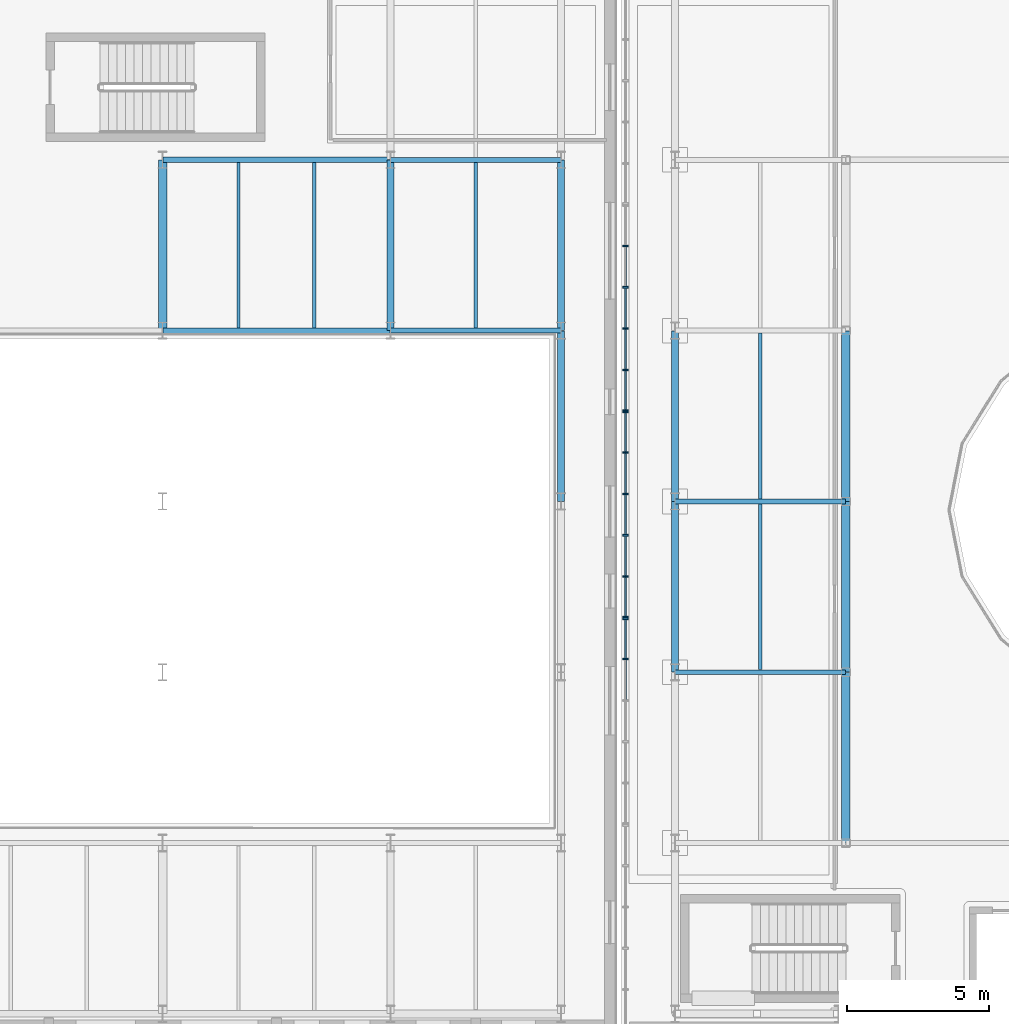
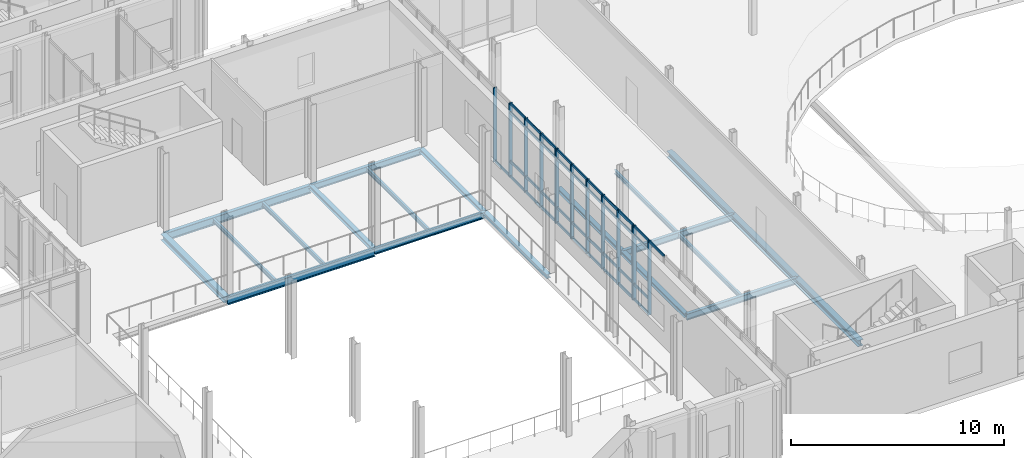
# One storey, part 16 of 100: 51 members, 20 beams, 3 elements without a shape of their own.
"""IFC4 building model written with IfcOpenShell, lengths in metres."""

from ifc_helpers import new_model, si_unit, direction, frame, origin, origin_2d, place, context, subcontext, project, spatial, rectangle, i_section, extrude, material, material_profile, profile_set, type_object, element, aggregate, save


model = new_model("IFC4")

# Units and contexts
model_context = context("Model", 3, precision=1e-05, world=origin(), true_north=direction((0.0, 1.0)))
body_context = subcontext(model_context, "Body", "Model", "MODEL_VIEW")
ifc_project = project(units=[si_unit("LENGTHUNIT", "METRE"), si_unit("AREAUNIT", "SQUARE_METRE"), si_unit("VOLUMEUNIT", "CUBIC_METRE"), si_unit("PLANEANGLEUNIT", "RADIAN"), si_unit("MASSUNIT", "GRAM", prefix="KILO")], contexts=[model_context])

# Site, building, storey
site_placement = place(None, origin())
site = spatial("IfcSite", under=ifc_project, at=site_placement, CompositionType="ELEMENT")
building_placement = place(site_placement, origin())
building = spatial("IfcBuilding", under=site, at=building_placement, Name="Cymarion Research Institute", CompositionType="ELEMENT")
storey_placement = place(building_placement, frame((0.0, 0.0, 4.800048828125)))
storey = spatial("IfcBuildingStorey", under=building, at=storey_placement, Name="L01", CompositionType="ELEMENT", Elevation=4.800048828125)

# Curtain wall, members
ifc_material_1 = material(Name="Anodised aluminium unitised curtain wall with Low-E glazing", Category="aluminium")
curtain_wall_type = type_object("IfcCurtainWallType", Name="UNITISED CURTAIN WALL CW14 7260X4250", PredefinedType="NOTDEFINED", material=ifc_material_1)
curtain_wall_1_placement = place(storey_placement, origin())
curtain_wall_1 = element("IfcCurtainWall", 1, at=curtain_wall_1_placement, inside=storey, type_object=curtain_wall_type, Name="L01 V2 unitised curtain wall CW14 #30", PredefinedType="NOTDEFINED")
ifc_material_2 = material(Name="Anodised aluminium framing", Category="aluminium")
ifc_material_profile_1 = material_profile(ifc_material_2, rectangle(XDim=0.06005859375, YDim=0.179931640625, at=origin_2d()), Name="ALU MULLION 60x180")
ifc_profile_set_1 = profile_set([ifc_material_profile_1], Name="Anodised aluminium framing")
member_type_1 = type_object("IfcMemberType", Name="CURTAIN WALL MULLION ML01 60X180", PredefinedType="MULLION", material=ifc_profile_set_1)
member_1_placement = place(storey_placement, frame((54.860107421875, 32.472900390625, 0.0), z_axis=(0.0, 0.0, 1.0), x_axis=(0.0, -1.0, 0.0)))
member_1 = element("IfcMember", 2, at=member_1_placement, type_object=member_type_1, Name="CW14 mullion 2", PredefinedType="MULLION", context=body_context, shape_type="SweptSolid", body=[
    extrude(rectangle(XDim=0.06005859375, YDim=0.179931640625, at=origin_2d()), origin(), (0.0, 0.0, 1.0), 4.25),
])
member_2_placement = place(storey_placement, frame((54.860107421875, 31.021484375, 0.0), z_axis=(0.0, 0.0, 1.0), x_axis=(0.0, -1.0, 0.0)))
member_2 = element("IfcMember", 3, at=member_2_placement, type_object=member_type_1, Name="CW14 mullion 3", PredefinedType="MULLION", context=body_context, shape_type="SweptSolid", body=[
    extrude(rectangle(XDim=0.06005859375, YDim=0.179931640625, at=origin_2d()), origin(), (0.0, 0.0, 1.0), 4.25),
])
member_3_placement = place(storey_placement, frame((54.860107421875, 29.5703125, 0.0), z_axis=(0.0, 0.0, 1.0), x_axis=(0.0, -1.0, 0.0)))
member_3 = element("IfcMember", 4, at=member_3_placement, type_object=member_type_1, Name="CW14 mullion 4", PredefinedType="MULLION", context=body_context, shape_type="SweptSolid", body=[
    extrude(rectangle(XDim=0.06005859375, YDim=0.179931640625, at=origin_2d()), origin(), (0.0, 0.0, 1.0), 4.25),
])
member_4_placement = place(storey_placement, frame((54.860107421875, 28.119140625, 0.0), z_axis=(0.0, 0.0, 1.0), x_axis=(0.0, -1.0, 0.0)))
member_4 = element("IfcMember", 5, at=member_4_placement, type_object=member_type_1, Name="CW14 mullion 5", PredefinedType="MULLION", context=body_context, shape_type="SweptSolid", body=[
    extrude(rectangle(XDim=0.06005859375, YDim=0.179931640625, at=origin_2d()), origin(), (0.0, 0.0, 1.0), 4.25),
])
member_5_placement = place(storey_placement, frame((54.860107421875, 26.697998046875, 0.0), z_axis=(0.0, 0.0, 1.0), x_axis=(0.0, -1.0, 0.0)))
member_5 = element("IfcMember", 6, at=member_5_placement, type_object=member_type_1, Name="CW14 mullion 6", PredefinedType="MULLION", context=body_context, shape_type="SweptSolid", body=[
    extrude(rectangle(XDim=0.06005859375, YDim=0.179931640625, at=origin_2d()), origin(), (0.0, 0.0, 1.0), 4.25),
])

curtain_wall_2_placement = place(storey_placement, origin())
curtain_wall_2 = element("IfcCurtainWall", 7, at=curtain_wall_2_placement, inside=storey, type_object=curtain_wall_type, Name="L01 V2 unitised curtain wall CW14 #31", PredefinedType="NOTDEFINED")
member_6_placement = place(storey_placement, frame((54.860107421875, 26.637939453125, 0.0), z_axis=(0.0, 0.0, 1.0), x_axis=(0.0, -1.0, 0.0)))
member_6 = element("IfcMember", 8, at=member_6_placement, type_object=member_type_1, Name="CW14 mullion 1", PredefinedType="MULLION", context=body_context, shape_type="SweptSolid", body=[
    extrude(rectangle(XDim=0.06005859375, YDim=0.179931640625, at=origin_2d()), origin(), (0.0, 0.0, 1.0), 4.25),
])
member_7_placement = place(storey_placement, frame((54.860107421875, 25.216796875, 0.0), z_axis=(0.0, 0.0, 1.0), x_axis=(0.0, -1.0, 0.0)))
member_7 = element("IfcMember", 9, at=member_7_placement, type_object=member_type_1, Name="CW14 mullion 2", PredefinedType="MULLION", context=body_context, shape_type="SweptSolid", body=[
    extrude(rectangle(XDim=0.06005859375, YDim=0.179931640625, at=origin_2d()), origin(), (0.0, 0.0, 1.0), 4.25),
])
member_8_placement = place(storey_placement, frame((54.860107421875, 23.765625, 0.0), z_axis=(0.0, 0.0, 1.0), x_axis=(0.0, -1.0, 0.0)))
member_8 = element("IfcMember", 10, at=member_8_placement, type_object=member_type_1, Name="CW14 mullion 3", PredefinedType="MULLION", context=body_context, shape_type="SweptSolid", body=[
    extrude(rectangle(XDim=0.06005859375, YDim=0.179931640625, at=origin_2d()), origin(), (0.0, 0.0, 1.0), 4.25),
])
member_9_placement = place(storey_placement, frame((54.860107421875, 22.314453125, 0.0), z_axis=(0.0, 0.0, 1.0), x_axis=(0.0, -1.0, 0.0)))
member_9 = element("IfcMember", 11, at=member_9_placement, type_object=member_type_1, Name="CW14 mullion 4", PredefinedType="MULLION", context=body_context, shape_type="SweptSolid", body=[
    extrude(rectangle(XDim=0.06005859375, YDim=0.179931640625, at=origin_2d()), origin(), (0.0, 0.0, 1.0), 4.25),
])
member_10_placement = place(storey_placement, frame((54.860107421875, 20.86328125, 0.0), z_axis=(0.0, 0.0, 1.0), x_axis=(0.0, -1.0, 0.0)))
member_10 = element("IfcMember", 12, at=member_10_placement, type_object=member_type_1, Name="CW14 mullion 5", PredefinedType="MULLION", context=body_context, shape_type="SweptSolid", body=[
    extrude(rectangle(XDim=0.06005859375, YDim=0.179931640625, at=origin_2d()), origin(), (0.0, 0.0, 1.0), 4.25),
])
member_11_placement = place(storey_placement, frame((54.860107421875, 19.44189453125, 0.0), z_axis=(0.0, 0.0, 1.0), x_axis=(0.0, -1.0, 0.0)))
member_11 = element("IfcMember", 13, at=member_11_placement, type_object=member_type_1, Name="CW14 mullion 6", PredefinedType="MULLION", context=body_context, shape_type="SweptSolid", body=[
    extrude(rectangle(XDim=0.06005859375, YDim=0.179931640625, at=origin_2d()), origin(), (0.0, 0.0, 1.0), 4.25),
])

curtain_wall_3_placement = place(storey_placement, origin())
curtain_wall_3 = element("IfcCurtainWall", 14, at=curtain_wall_3_placement, inside=storey, type_object=curtain_wall_type, Name="L01 V2 unitised curtain wall CW14 #32", PredefinedType="NOTDEFINED")
member_12_placement = place(storey_placement, frame((54.860107421875, 19.382080078125, 0.0), z_axis=(0.0, 0.0, 1.0), x_axis=(0.0, -1.0, 0.0)))
member_12 = element("IfcMember", 15, at=member_12_placement, type_object=member_type_1, Name="CW14 mullion 1", PredefinedType="MULLION", context=body_context, shape_type="SweptSolid", body=[
    extrude(rectangle(XDim=0.06005859375, YDim=0.179931640625, at=origin_2d()), origin(), (0.0, 0.0, 1.0), 4.25),
])
member_13_placement = place(storey_placement, frame((54.860107421875, 17.960693359375, 0.0), z_axis=(0.0, 0.0, 1.0), x_axis=(0.0, -1.0, 0.0)))
member_13 = element("IfcMember", 16, at=member_13_placement, type_object=member_type_1, Name="CW14 mullion 2", PredefinedType="MULLION", context=body_context, shape_type="SweptSolid", body=[
    extrude(rectangle(XDim=0.06005859375, YDim=0.179931640625, at=origin_2d()), origin(), (0.0, 0.0, 1.0), 4.25),
])

# Member
ifc_material_profile_2 = material_profile(ifc_material_2, rectangle(XDim=0.06005859375, YDim=0.14990234375, at=origin_2d()), Name="ALU TRANSOM 60x150")
ifc_profile_set_2 = profile_set([ifc_material_profile_2], Name="Anodised aluminium framing")
member_type_2 = type_object("IfcMemberType", Name="CURTAIN WALL TRANSOM TR01 60X150", PredefinedType="USERDEFINED", material=ifc_profile_set_2)
member_14_placement = place(storey_placement, frame((54.860107421875, 32.44287109375, 0.030029296875), z_axis=(0.0, -1.0, 0.0), x_axis=(1.0, 0.0, 0.0)))
member_14 = element("IfcMember", 17, at=member_14_placement, type_object=member_type_2, Name="CW14 transom 2.1", ObjectType="TRANSOM", PredefinedType="USERDEFINED", context=body_context, shape_type="SweptSolid", body=[
    extrude(rectangle(XDim=0.06005859375, YDim=0.14990234375, at=origin_2d()), origin(), (0.0, 0.0, 1.0), 1.391357421875),
])

member_15_placement = place(storey_placement, frame((54.860107421875, 30.99169921875, 0.030029296875), z_axis=(0.0, -1.0, 0.0), x_axis=(1.0, 0.0, 0.0)))
member_15 = element("IfcMember", 18, at=member_15_placement, type_object=member_type_2, Name="CW14 transom 3.1", ObjectType="TRANSOM", PredefinedType="USERDEFINED", context=body_context, shape_type="SweptSolid", body=[
    extrude(rectangle(XDim=0.06005859375, YDim=0.14990234375, at=origin_2d()), origin(), (0.0, 0.0, 1.0), 1.391357421875),
])

member_16_placement = place(storey_placement, frame((54.860107421875, 30.99169921875, 0.89990234375), z_axis=(0.0, -1.0, 0.0), x_axis=(1.0, 0.0, 0.0)))
member_16 = element("IfcMember", 19, at=member_16_placement, type_object=member_type_2, Name="CW14 transom 3.2", ObjectType="TRANSOM", PredefinedType="USERDEFINED", context=body_context, shape_type="SweptSolid", body=[
    extrude(rectangle(XDim=0.06005859375, YDim=0.14990234375, at=origin_2d()), origin(), (0.0, 0.0, 1.0), 1.391357421875),
])

member_17_placement = place(storey_placement, frame((54.860107421875, 30.99169921875, 3.699951171875), z_axis=(0.0, -1.0, 0.0), x_axis=(1.0, 0.0, 0.0)))
member_17 = element("IfcMember", 20, at=member_17_placement, type_object=member_type_2, Name="CW14 transom 3.3", ObjectType="TRANSOM", PredefinedType="USERDEFINED", context=body_context, shape_type="SweptSolid", body=[
    extrude(rectangle(XDim=0.06005859375, YDim=0.14990234375, at=origin_2d()), origin(), (0.0, 0.0, 1.0), 1.391357421875),
])

member_18_placement = place(storey_placement, frame((54.860107421875, 30.99169921875, 4.219970703125), z_axis=(0.0, -1.0, 0.0), x_axis=(1.0, 0.0, 0.0)))
member_18 = element("IfcMember", 21, at=member_18_placement, type_object=member_type_2, Name="CW14 transom 3.4", ObjectType="TRANSOM", PredefinedType="USERDEFINED", context=body_context, shape_type="SweptSolid", body=[
    extrude(rectangle(XDim=0.06005859375, YDim=0.14990234375, at=origin_2d()), origin(), (0.0, 0.0, 1.0), 1.391357421875),
])

member_19_placement = place(storey_placement, frame((54.860107421875, 29.540283203125, 0.030029296875), z_axis=(0.0, -1.0, 0.0), x_axis=(1.0, 0.0, 0.0)))
member_19 = element("IfcMember", 22, at=member_19_placement, type_object=member_type_2, Name="CW14 transom 4.1", ObjectType="TRANSOM", PredefinedType="USERDEFINED", context=body_context, shape_type="SweptSolid", body=[
    extrude(rectangle(XDim=0.06005859375, YDim=0.14990234375, at=origin_2d()), origin(), (0.0, 0.0, 1.0), 1.39111328125),
])

member_20_placement = place(storey_placement, frame((54.860107421875, 29.540283203125, 0.89990234375), z_axis=(0.0, -1.0, 0.0), x_axis=(1.0, 0.0, 0.0)))
member_20 = element("IfcMember", 23, at=member_20_placement, type_object=member_type_2, Name="CW14 transom 4.2", ObjectType="TRANSOM", PredefinedType="USERDEFINED", context=body_context, shape_type="SweptSolid", body=[
    extrude(rectangle(XDim=0.06005859375, YDim=0.14990234375, at=origin_2d()), origin(), (0.0, 0.0, 1.0), 1.39111328125),
])

member_21_placement = place(storey_placement, frame((54.860107421875, 29.540283203125, 3.699951171875), z_axis=(0.0, -1.0, 0.0), x_axis=(1.0, 0.0, 0.0)))
member_21 = element("IfcMember", 24, at=member_21_placement, type_object=member_type_2, Name="CW14 transom 4.3", ObjectType="TRANSOM", PredefinedType="USERDEFINED", context=body_context, shape_type="SweptSolid", body=[
    extrude(rectangle(XDim=0.06005859375, YDim=0.14990234375, at=origin_2d()), origin(), (0.0, 0.0, 1.0), 1.39111328125),
])

member_22_placement = place(storey_placement, frame((54.860107421875, 29.540283203125, 4.219970703125), z_axis=(0.0, -1.0, 0.0), x_axis=(1.0, 0.0, 0.0)))
member_22 = element("IfcMember", 25, at=member_22_placement, type_object=member_type_2, Name="CW14 transom 4.4", ObjectType="TRANSOM", PredefinedType="USERDEFINED", context=body_context, shape_type="SweptSolid", body=[
    extrude(rectangle(XDim=0.06005859375, YDim=0.14990234375, at=origin_2d()), origin(), (0.0, 0.0, 1.0), 1.39111328125),
])

member_23_placement = place(storey_placement, frame((54.860107421875, 28.089111328125, 0.030029296875), z_axis=(0.0, -1.0, 0.0), x_axis=(1.0, 0.0, 0.0)))
member_23 = element("IfcMember", 26, at=member_23_placement, type_object=member_type_2, Name="CW14 transom 5.1", ObjectType="TRANSOM", PredefinedType="USERDEFINED", context=body_context, shape_type="SweptSolid", body=[
    extrude(rectangle(XDim=0.06005859375, YDim=0.14990234375, at=origin_2d()), origin(), (0.0, 0.0, 1.0), 1.361083984375),
])

member_24_placement = place(storey_placement, frame((54.860107421875, 28.089111328125, 0.89990234375), z_axis=(0.0, -1.0, 0.0), x_axis=(1.0, 0.0, 0.0)))
member_24 = element("IfcMember", 27, at=member_24_placement, type_object=member_type_2, Name="CW14 transom 5.2", ObjectType="TRANSOM", PredefinedType="USERDEFINED", context=body_context, shape_type="SweptSolid", body=[
    extrude(rectangle(XDim=0.06005859375, YDim=0.14990234375, at=origin_2d()), origin(), (0.0, 0.0, 1.0), 1.361083984375),
])

member_25_placement = place(storey_placement, frame((54.860107421875, 28.089111328125, 3.699951171875), z_axis=(0.0, -1.0, 0.0), x_axis=(1.0, 0.0, 0.0)))
member_25 = element("IfcMember", 28, at=member_25_placement, type_object=member_type_2, Name="CW14 transom 5.3", ObjectType="TRANSOM", PredefinedType="USERDEFINED", context=body_context, shape_type="SweptSolid", body=[
    extrude(rectangle(XDim=0.06005859375, YDim=0.14990234375, at=origin_2d()), origin(), (0.0, 0.0, 1.0), 1.361083984375),
])

member_26_placement = place(storey_placement, frame((54.860107421875, 28.089111328125, 4.219970703125), z_axis=(0.0, -1.0, 0.0), x_axis=(1.0, 0.0, 0.0)))
member_26 = element("IfcMember", 29, at=member_26_placement, type_object=member_type_2, Name="CW14 transom 5.4", ObjectType="TRANSOM", PredefinedType="USERDEFINED", context=body_context, shape_type="SweptSolid", body=[
    extrude(rectangle(XDim=0.06005859375, YDim=0.14990234375, at=origin_2d()), origin(), (0.0, 0.0, 1.0), 1.361083984375),
])

aggregate(curtain_wall_1, [member_1, member_2, member_3, member_4, member_5, member_14, member_15, member_16, member_17, member_18, member_19, member_20, member_21, member_22, member_23, member_24, member_25, member_26])

member_27_placement = place(storey_placement, frame((54.860107421875, 26.60791015625, 0.030029296875), z_axis=(0.0, -1.0, 0.0), x_axis=(1.0, 0.0, 0.0)))
member_27 = element("IfcMember", 30, at=member_27_placement, type_object=member_type_2, Name="CW14 transom 1.1", ObjectType="TRANSOM", PredefinedType="USERDEFINED", context=body_context, shape_type="SweptSolid", body=[
    extrude(rectangle(XDim=0.06005859375, YDim=0.14990234375, at=origin_2d()), origin(), (0.0, 0.0, 1.0), 1.361083984375),
])

member_28_placement = place(storey_placement, frame((54.860107421875, 26.60791015625, 0.89990234375), z_axis=(0.0, -1.0, 0.0), x_axis=(1.0, 0.0, 0.0)))
member_28 = element("IfcMember", 31, at=member_28_placement, type_object=member_type_2, Name="CW14 transom 1.2", ObjectType="TRANSOM", PredefinedType="USERDEFINED", context=body_context, shape_type="SweptSolid", body=[
    extrude(rectangle(XDim=0.06005859375, YDim=0.14990234375, at=origin_2d()), origin(), (0.0, 0.0, 1.0), 1.361083984375),
])

member_29_placement = place(storey_placement, frame((54.860107421875, 26.60791015625, 3.699951171875), z_axis=(0.0, -1.0, 0.0), x_axis=(1.0, 0.0, 0.0)))
member_29 = element("IfcMember", 32, at=member_29_placement, type_object=member_type_2, Name="CW14 transom 1.3", ObjectType="TRANSOM", PredefinedType="USERDEFINED", context=body_context, shape_type="SweptSolid", body=[
    extrude(rectangle(XDim=0.06005859375, YDim=0.14990234375, at=origin_2d()), origin(), (0.0, 0.0, 1.0), 1.361083984375),
])

member_30_placement = place(storey_placement, frame((54.860107421875, 26.60791015625, 4.219970703125), z_axis=(0.0, -1.0, 0.0), x_axis=(1.0, 0.0, 0.0)))
member_30 = element("IfcMember", 33, at=member_30_placement, type_object=member_type_2, Name="CW14 transom 1.4", ObjectType="TRANSOM", PredefinedType="USERDEFINED", context=body_context, shape_type="SweptSolid", body=[
    extrude(rectangle(XDim=0.06005859375, YDim=0.14990234375, at=origin_2d()), origin(), (0.0, 0.0, 1.0), 1.361083984375),
])

member_31_placement = place(storey_placement, frame((54.860107421875, 25.186767578125, 0.030029296875), z_axis=(0.0, -1.0, 0.0), x_axis=(1.0, 0.0, 0.0)))
member_31 = element("IfcMember", 34, at=member_31_placement, type_object=member_type_2, Name="CW14 transom 2.1", ObjectType="TRANSOM", PredefinedType="USERDEFINED", context=body_context, shape_type="SweptSolid", body=[
    extrude(rectangle(XDim=0.06005859375, YDim=0.14990234375, at=origin_2d()), origin(), (0.0, 0.0, 1.0), 1.39111328125),
])

member_32_placement = place(storey_placement, frame((54.860107421875, 25.186767578125, 0.89990234375), z_axis=(0.0, -1.0, 0.0), x_axis=(1.0, 0.0, 0.0)))
member_32 = element("IfcMember", 35, at=member_32_placement, type_object=member_type_2, Name="CW14 transom 2.2", ObjectType="TRANSOM", PredefinedType="USERDEFINED", context=body_context, shape_type="SweptSolid", body=[
    extrude(rectangle(XDim=0.06005859375, YDim=0.14990234375, at=origin_2d()), origin(), (0.0, 0.0, 1.0), 1.39111328125),
])

member_33_placement = place(storey_placement, frame((54.860107421875, 25.186767578125, 3.699951171875), z_axis=(0.0, -1.0, 0.0), x_axis=(1.0, 0.0, 0.0)))
member_33 = element("IfcMember", 36, at=member_33_placement, type_object=member_type_2, Name="CW14 transom 2.3", ObjectType="TRANSOM", PredefinedType="USERDEFINED", context=body_context, shape_type="SweptSolid", body=[
    extrude(rectangle(XDim=0.06005859375, YDim=0.14990234375, at=origin_2d()), origin(), (0.0, 0.0, 1.0), 1.39111328125),
])

member_34_placement = place(storey_placement, frame((54.860107421875, 25.186767578125, 4.219970703125), z_axis=(0.0, -1.0, 0.0), x_axis=(1.0, 0.0, 0.0)))
member_34 = element("IfcMember", 37, at=member_34_placement, type_object=member_type_2, Name="CW14 transom 2.4", ObjectType="TRANSOM", PredefinedType="USERDEFINED", context=body_context, shape_type="SweptSolid", body=[
    extrude(rectangle(XDim=0.06005859375, YDim=0.14990234375, at=origin_2d()), origin(), (0.0, 0.0, 1.0), 1.39111328125),
])

member_35_placement = place(storey_placement, frame((54.860107421875, 23.735595703125, 0.030029296875), z_axis=(0.0, -1.0, 0.0), x_axis=(1.0, 0.0, 0.0)))
member_35 = element("IfcMember", 38, at=member_35_placement, type_object=member_type_2, Name="CW14 transom 3.1", ObjectType="TRANSOM", PredefinedType="USERDEFINED", context=body_context, shape_type="SweptSolid", body=[
    extrude(rectangle(XDim=0.06005859375, YDim=0.14990234375, at=origin_2d()), origin(), (0.0, 0.0, 1.0), 1.39111328125),
])

member_36_placement = place(storey_placement, frame((54.860107421875, 23.735595703125, 0.89990234375), z_axis=(0.0, -1.0, 0.0), x_axis=(1.0, 0.0, 0.0)))
member_36 = element("IfcMember", 39, at=member_36_placement, type_object=member_type_2, Name="CW14 transom 3.2", ObjectType="TRANSOM", PredefinedType="USERDEFINED", context=body_context, shape_type="SweptSolid", body=[
    extrude(rectangle(XDim=0.06005859375, YDim=0.14990234375, at=origin_2d()), origin(), (0.0, 0.0, 1.0), 1.39111328125),
])

member_37_placement = place(storey_placement, frame((54.860107421875, 23.735595703125, 3.699951171875), z_axis=(0.0, -1.0, 0.0), x_axis=(1.0, 0.0, 0.0)))
member_37 = element("IfcMember", 40, at=member_37_placement, type_object=member_type_2, Name="CW14 transom 3.3", ObjectType="TRANSOM", PredefinedType="USERDEFINED", context=body_context, shape_type="SweptSolid", body=[
    extrude(rectangle(XDim=0.06005859375, YDim=0.14990234375, at=origin_2d()), origin(), (0.0, 0.0, 1.0), 1.39111328125),
])

member_38_placement = place(storey_placement, frame((54.860107421875, 23.735595703125, 4.219970703125), z_axis=(0.0, -1.0, 0.0), x_axis=(1.0, 0.0, 0.0)))
member_38 = element("IfcMember", 41, at=member_38_placement, type_object=member_type_2, Name="CW14 transom 3.4", ObjectType="TRANSOM", PredefinedType="USERDEFINED", context=body_context, shape_type="SweptSolid", body=[
    extrude(rectangle(XDim=0.06005859375, YDim=0.14990234375, at=origin_2d()), origin(), (0.0, 0.0, 1.0), 1.39111328125),
])

member_39_placement = place(storey_placement, frame((54.860107421875, 22.284423828125, 0.030029296875), z_axis=(0.0, -1.0, 0.0), x_axis=(1.0, 0.0, 0.0)))
member_39 = element("IfcMember", 42, at=member_39_placement, type_object=member_type_2, Name="CW14 transom 4.1", ObjectType="TRANSOM", PredefinedType="USERDEFINED", context=body_context, shape_type="SweptSolid", body=[
    extrude(rectangle(XDim=0.06005859375, YDim=0.14990234375, at=origin_2d()), origin(), (0.0, 0.0, 1.0), 1.39111328125),
])

member_40_placement = place(storey_placement, frame((54.860107421875, 22.284423828125, 0.89990234375), z_axis=(0.0, -1.0, 0.0), x_axis=(1.0, 0.0, 0.0)))
member_40 = element("IfcMember", 43, at=member_40_placement, type_object=member_type_2, Name="CW14 transom 4.2", ObjectType="TRANSOM", PredefinedType="USERDEFINED", context=body_context, shape_type="SweptSolid", body=[
    extrude(rectangle(XDim=0.06005859375, YDim=0.14990234375, at=origin_2d()), origin(), (0.0, 0.0, 1.0), 1.39111328125),
])

member_41_placement = place(storey_placement, frame((54.860107421875, 22.284423828125, 3.699951171875), z_axis=(0.0, -1.0, 0.0), x_axis=(1.0, 0.0, 0.0)))
member_41 = element("IfcMember", 44, at=member_41_placement, type_object=member_type_2, Name="CW14 transom 4.3", ObjectType="TRANSOM", PredefinedType="USERDEFINED", context=body_context, shape_type="SweptSolid", body=[
    extrude(rectangle(XDim=0.06005859375, YDim=0.14990234375, at=origin_2d()), origin(), (0.0, 0.0, 1.0), 1.39111328125),
])

member_42_placement = place(storey_placement, frame((54.860107421875, 22.284423828125, 4.219970703125), z_axis=(0.0, -1.0, 0.0), x_axis=(1.0, 0.0, 0.0)))
member_42 = element("IfcMember", 45, at=member_42_placement, type_object=member_type_2, Name="CW14 transom 4.4", ObjectType="TRANSOM", PredefinedType="USERDEFINED", context=body_context, shape_type="SweptSolid", body=[
    extrude(rectangle(XDim=0.06005859375, YDim=0.14990234375, at=origin_2d()), origin(), (0.0, 0.0, 1.0), 1.39111328125),
])

member_43_placement = place(storey_placement, frame((54.860107421875, 20.833251953125, 0.030029296875), z_axis=(0.0, -1.0, 0.0), x_axis=(1.0, 0.0, 0.0)))
member_43 = element("IfcMember", 46, at=member_43_placement, type_object=member_type_2, Name="CW14 transom 5.1", ObjectType="TRANSOM", PredefinedType="USERDEFINED", context=body_context, shape_type="SweptSolid", body=[
    extrude(rectangle(XDim=0.06005859375, YDim=0.14990234375, at=origin_2d()), origin(), (0.0, 0.0, 1.0), 1.361328125),
])

member_44_placement = place(storey_placement, frame((54.860107421875, 20.833251953125, 0.89990234375), z_axis=(0.0, -1.0, 0.0), x_axis=(1.0, 0.0, 0.0)))
member_44 = element("IfcMember", 47, at=member_44_placement, type_object=member_type_2, Name="CW14 transom 5.2", ObjectType="TRANSOM", PredefinedType="USERDEFINED", context=body_context, shape_type="SweptSolid", body=[
    extrude(rectangle(XDim=0.06005859375, YDim=0.14990234375, at=origin_2d()), origin(), (0.0, 0.0, 1.0), 1.361328125),
])

member_45_placement = place(storey_placement, frame((54.860107421875, 20.833251953125, 3.699951171875), z_axis=(0.0, -1.0, 0.0), x_axis=(1.0, 0.0, 0.0)))
member_45 = element("IfcMember", 48, at=member_45_placement, type_object=member_type_2, Name="CW14 transom 5.3", ObjectType="TRANSOM", PredefinedType="USERDEFINED", context=body_context, shape_type="SweptSolid", body=[
    extrude(rectangle(XDim=0.06005859375, YDim=0.14990234375, at=origin_2d()), origin(), (0.0, 0.0, 1.0), 1.361328125),
])

member_46_placement = place(storey_placement, frame((54.860107421875, 20.833251953125, 4.219970703125), z_axis=(0.0, -1.0, 0.0), x_axis=(1.0, 0.0, 0.0)))
member_46 = element("IfcMember", 49, at=member_46_placement, type_object=member_type_2, Name="CW14 transom 5.4", ObjectType="TRANSOM", PredefinedType="USERDEFINED", context=body_context, shape_type="SweptSolid", body=[
    extrude(rectangle(XDim=0.06005859375, YDim=0.14990234375, at=origin_2d()), origin(), (0.0, 0.0, 1.0), 1.361328125),
])

aggregate(curtain_wall_2, [member_6, member_7, member_8, member_9, member_10, member_11, member_27, member_28, member_29, member_30, member_31, member_32, member_33, member_34, member_35, member_36, member_37, member_38, member_39, member_40, member_41, member_42, member_43, member_44, member_45, member_46])

member_47_placement = place(storey_placement, frame((54.860107421875, 19.35205078125, 0.030029296875), z_axis=(0.0, -1.0, 0.0), x_axis=(1.0, 0.0, 0.0)))
member_47 = element("IfcMember", 50, at=member_47_placement, type_object=member_type_2, Name="CW14 transom 1.1", ObjectType="TRANSOM", PredefinedType="USERDEFINED", context=body_context, shape_type="SweptSolid", body=[
    extrude(rectangle(XDim=0.06005859375, YDim=0.14990234375, at=origin_2d()), origin(), (0.0, 0.0, 1.0), 1.361328125),
])

member_48_placement = place(storey_placement, frame((54.860107421875, 19.35205078125, 0.89990234375), z_axis=(0.0, -1.0, 0.0), x_axis=(1.0, 0.0, 0.0)))
member_48 = element("IfcMember", 51, at=member_48_placement, type_object=member_type_2, Name="CW14 transom 1.2", ObjectType="TRANSOM", PredefinedType="USERDEFINED", context=body_context, shape_type="SweptSolid", body=[
    extrude(rectangle(XDim=0.06005859375, YDim=0.14990234375, at=origin_2d()), origin(), (0.0, 0.0, 1.0), 1.361328125),
])

member_49_placement = place(storey_placement, frame((54.860107421875, 19.35205078125, 3.699951171875), z_axis=(0.0, -1.0, 0.0), x_axis=(1.0, 0.0, 0.0)))
member_49 = element("IfcMember", 52, at=member_49_placement, type_object=member_type_2, Name="CW14 transom 1.3", ObjectType="TRANSOM", PredefinedType="USERDEFINED", context=body_context, shape_type="SweptSolid", body=[
    extrude(rectangle(XDim=0.06005859375, YDim=0.14990234375, at=origin_2d()), origin(), (0.0, 0.0, 1.0), 1.361328125),
])

member_50_placement = place(storey_placement, frame((54.860107421875, 19.35205078125, 4.219970703125), z_axis=(0.0, -1.0, 0.0), x_axis=(1.0, 0.0, 0.0)))
member_50 = element("IfcMember", 53, at=member_50_placement, type_object=member_type_2, Name="CW14 transom 1.4", ObjectType="TRANSOM", PredefinedType="USERDEFINED", context=body_context, shape_type="SweptSolid", body=[
    extrude(rectangle(XDim=0.06005859375, YDim=0.14990234375, at=origin_2d()), origin(), (0.0, 0.0, 1.0), 1.361328125),
])

member_51_placement = place(storey_placement, frame((54.860107421875, 17.930908203125, 4.219970703125), z_axis=(0.0, -1.0, 0.0), x_axis=(1.0, 0.0, 0.0)))
member_51 = element("IfcMember", 54, at=member_51_placement, type_object=member_type_2, Name="CW14 transom 2.4", ObjectType="TRANSOM", PredefinedType="USERDEFINED", context=body_context, shape_type="SweptSolid", body=[
    extrude(rectangle(XDim=0.06005859375, YDim=0.14990234375, at=origin_2d()), origin(), (0.0, 0.0, 1.0), 1.391357421875),
])

aggregate(curtain_wall_3, [member_12, member_13, member_47, member_48, member_49, member_50, member_51])

# Beams
ifc_material_3 = material(Name="Steel S355", Category="steel")
ifc_material_profile_3 = material_profile(ifc_material_3, i_section(OverallWidth=0.18994140625, OverallDepth=0.449951171875, WebThickness=0.009521484375, FlangeThickness=0.0146484375, FilletRadius=0.02099609375, at=origin_2d()), Name="IPE 450")
ifc_profile_set_3 = profile_set([ifc_material_profile_3], Name="Steel S355")
beam_type_1 = type_object("IfcBeamType", Name="PRIMARY GIRDER BM04 IPE 450", PredefinedType="BEAM", material=ifc_profile_set_3)
for number, where, z_axis, x_axis, name in (
    (55, (38.60595703125, 29.5, -0.47509765625), (1.0, 0.0, 0.0), (0.0, 1.0, 0.0), "L01 V3 girder BM04 #555"),
    (56, (38.60595703125, 35.5, -0.47509765625), (1.0, 0.0, 0.0), (0.0, 1.0, 0.0), "L01 V3 girder BM04 #557"),
):
    element("IfcBeam", number, at=place(storey_placement, frame(where, z_axis=z_axis, x_axis=x_axis)), inside=storey, type_object=beam_type_1, Name=name, PredefinedType="BEAM", context=body_context, shape_type="SweptSolid", body=[
        extrude(i_section(OverallWidth=0.18994140625, OverallDepth=0.449951171875, WebThickness=0.009521484375, FlangeThickness=0.0146484375, FilletRadius=0.02099609375, at=origin_2d()), origin(), (0.0, 0.0, 1.0), 7.988037109375),
    ])
ifc_material_profile_4 = material_profile(ifc_material_3, i_section(OverallWidth=0.169921875, OverallDepth=0.360107421875, WebThickness=0.008056640625, FlangeThickness=0.0126953125, FilletRadius=0.01806640625, at=origin_2d()), Name="IPE 360")
ifc_profile_set_4 = profile_set([ifc_material_profile_4], Name="Steel S355")
beam_type_2 = type_object("IfcBeamType", Name="PRIMARY GIRDER BM06 IPE 360", PredefinedType="BEAM", material=ifc_profile_set_4)
for number, where, z_axis, x_axis, name in (
    (57, (56.60595703125, 17.5, -0.429931640625), (1.0, 0.0, 0.0), (0.0, 1.0, 0.0), "L01 V2 girder BM06 #474"),
    (58, (56.60595703125, 23.5, -0.429931640625), (1.0, 0.0, 0.0), (0.0, 1.0, 0.0), "L01 V2 girder BM06 #476"),
    (59, (46.60595703125, 29.5, -0.429931640625), (1.0, 0.0, 0.0), (0.0, 1.0, 0.0), "L01 V3 girder BM06 #556"),
    (60, (46.60595703125, 35.5, -0.429931640625), (1.0, 0.0, 0.0), (0.0, 1.0, 0.0), "L01 V3 girder BM06 #558"),
):
    element("IfcBeam", number, at=place(storey_placement, frame(where, z_axis=z_axis, x_axis=x_axis)), inside=storey, type_object=beam_type_2, Name=name, PredefinedType="BEAM", context=body_context, shape_type="SweptSolid", body=[
        extrude(i_section(OverallWidth=0.169921875, OverallDepth=0.360107421875, WebThickness=0.008056640625, FlangeThickness=0.0126953125, FilletRadius=0.01806640625, at=origin_2d()), origin(), (0.0, 0.0, 1.0), 5.988037109375),
    ])
ifc_material_profile_5 = material_profile(ifc_material_3, i_section(OverallWidth=0.300048828125, OverallDepth=0.35009765625, WebThickness=0.010009765625, FlangeThickness=0.017578125, FilletRadius=0.027099609375, at=origin_2d()), Name="HEA 360")
ifc_profile_set_5 = profile_set([ifc_material_profile_5], Name="Steel S355")
beam_type_3 = type_object("IfcBeamType", Name="PRIMARY GIRDER BM12 HEA 360", PredefinedType="BEAM", material=ifc_profile_set_5)
for number, where, z_axis, x_axis, name in (
    (61, (62.60009765625, 11.506103515625, -0.425048828125), (0.0, 1.0, 0.0), (-1.0, 0.0, 0.0), "L01 V2 girder BM12 #502"),
    (62, (62.60009765625, 17.506103515625, -0.425048828125), (0.0, 1.0, 0.0), (-1.0, 0.0, 0.0), "L01 V2 girder BM12 #503"),
    (63, (62.60009765625, 23.506103515625, -0.425048828125), (0.0, 1.0, 0.0), (-1.0, 0.0, 0.0), "L01 V2 girder BM12 #504"),
    (64, (38.60009765625, 29.506103515625, -0.425048828125), (0.0, 1.0, 0.0), (-1.0, 0.0, 0.0), "L01 V3 girder BM12 #579"),
):
    element("IfcBeam", number, at=place(storey_placement, frame(where, z_axis=z_axis, x_axis=x_axis)), inside=storey, type_object=beam_type_3, Name=name, PredefinedType="BEAM", context=body_context, shape_type="SweptSolid", body=[
        extrude(i_section(OverallWidth=0.300048828125, OverallDepth=0.35009765625, WebThickness=0.010009765625, FlangeThickness=0.017578125, FilletRadius=0.027099609375, at=origin_2d()), origin(), (0.0, 0.0, 1.0), 5.98779296875),
    ])
ifc_material_profile_6 = material_profile(ifc_material_3, i_section(OverallWidth=0.1201171875, OverallDepth=0.239990234375, WebThickness=0.006103515625, FlangeThickness=0.009765625, FilletRadius=0.014892578125, at=origin_2d()), Name="IPE 240")
ifc_profile_set_6 = profile_set([ifc_material_profile_6], Name="Steel S355")
beam_type_4 = type_object("IfcBeamType", Name="SECONDARY JOIST JS04 IPE 240", PredefinedType="JOIST", material=ifc_profile_set_6)
for number, where, z_axis, x_axis, name in (
    (65, (59.60009765625, 17.589111328125, -0.3701171875), (0.0, 1.0, 0.0), (-1.0, 0.0, 0.0), "L01 V2 secondary joist JS04 #526"),
    (66, (59.60009765625, 23.589111328125, -0.3701171875), (0.0, 1.0, 0.0), (-1.0, 0.0, 0.0), "L01 V2 secondary joist JS04 #529"),
):
    element("IfcBeam", number, at=place(storey_placement, frame(where, z_axis=z_axis, x_axis=x_axis)), inside=storey, type_object=beam_type_4, Name=name, PredefinedType="JOIST", context=body_context, shape_type="SweptSolid", body=[
        extrude(i_section(OverallWidth=0.1201171875, OverallDepth=0.239990234375, WebThickness=0.006103515625, FlangeThickness=0.009765625, FilletRadius=0.014892578125, at=origin_2d()), origin(), (0.0, 0.0, 1.0), 5.82177734375),
    ])
for number, where, z_axis, x_axis, name in (
    (67, (41.2666015625, 29.59912109375, -0.3701171875), (0.0, 1.0, 0.0), (-1.0, 0.0, 0.0), "L01 V3 secondary joist JS04 #617"),
    (68, (43.933349609375, 29.59912109375, -0.3701171875), (0.0, 1.0, 0.0), (-1.0, 0.0, 0.0), "L01 V3 secondary joist JS04 #618"),
):
    element("IfcBeam", number, at=place(storey_placement, frame(where, z_axis=z_axis, x_axis=x_axis)), inside=storey, type_object=beam_type_4, Name=name, PredefinedType="JOIST", context=body_context, shape_type="SweptSolid", body=[
        extrude(i_section(OverallWidth=0.1201171875, OverallDepth=0.239990234375, WebThickness=0.006103515625, FlangeThickness=0.009765625, FilletRadius=0.014892578125, at=origin_2d()), origin(), (0.0, 0.0, 1.0), 5.8017578125),
    ])
beam_placement = place(storey_placement, frame((49.60009765625, 29.589111328125, -0.3701171875), z_axis=(0.0, 1.0, 0.0), x_axis=(-1.0, 0.0, 0.0)))
element("IfcBeam", 69, at=beam_placement, inside=storey, type_object=beam_type_4, Name="L01 V3 secondary joist JS04 #619", PredefinedType="JOIST", context=body_context, shape_type="SweptSolid", body=[
    extrude(i_section(OverallWidth=0.1201171875, OverallDepth=0.239990234375, WebThickness=0.006103515625, FlangeThickness=0.009765625, FilletRadius=0.014892578125, at=origin_2d()), origin(), (0.0, 0.0, 1.0), 5.82177734375),
])
ifc_material_profile_7 = material_profile(ifc_material_3, i_section(OverallWidth=0.239990234375, OverallDepth=0.22998046875, WebThickness=0.007568359375, FlangeThickness=0.011962890625, FilletRadius=0.02099609375, at=origin_2d()), Name="HEA 240")
ifc_profile_set_7 = profile_set([ifc_material_profile_7], Name="Steel S355")
beam_type_5 = type_object("IfcBeamType", Name="SPANDREL BEAM SPB03 HEA 240", PredefinedType="SPANDREL", material=ifc_profile_set_7)
for number, where, z_axis, x_axis, name in (
    (70, (56.60009765625, 17.506103515625, -0.364990234375), (0.0, 1.0, 0.0), (-1.0, 0.0, 0.0), "L01 V2 girder SPB03 #498"),
    (71, (56.60009765625, 23.506103515625, -0.364990234375), (0.0, 1.0, 0.0), (-1.0, 0.0, 0.0), "L01 V2 girder SPB03 #499"),
    (72, (46.60009765625, 29.506103515625, -0.364990234375), (0.0, 1.0, 0.0), (-1.0, 0.0, 0.0), "L01 V3 girder SPB03 #583"),
    (73, (52.60009765625, 23.506103515625, -0.364990234375), (0.0, 1.0, 0.0), (-1.0, 0.0, 0.0), "L01 V3 girder SPB03 #588"),
    (74, (52.60009765625, 29.506103515625, -0.364990234375), (0.0, 1.0, 0.0), (-1.0, 0.0, 0.0), "L01 V3 girder SPB03 #589"),
):
    element("IfcBeam", number, at=place(storey_placement, frame(where, z_axis=z_axis, x_axis=x_axis)), inside=storey, type_object=beam_type_5, Name=name, PredefinedType="SPANDREL", context=body_context, shape_type="SweptSolid", body=[
        extrude(i_section(OverallWidth=0.239990234375, OverallDepth=0.22998046875, WebThickness=0.007568359375, FlangeThickness=0.011962890625, FilletRadius=0.02099609375, at=origin_2d()), origin(), (0.0, 0.0, 1.0), 5.98779296875),
    ])

save(model, "model.ifc")
